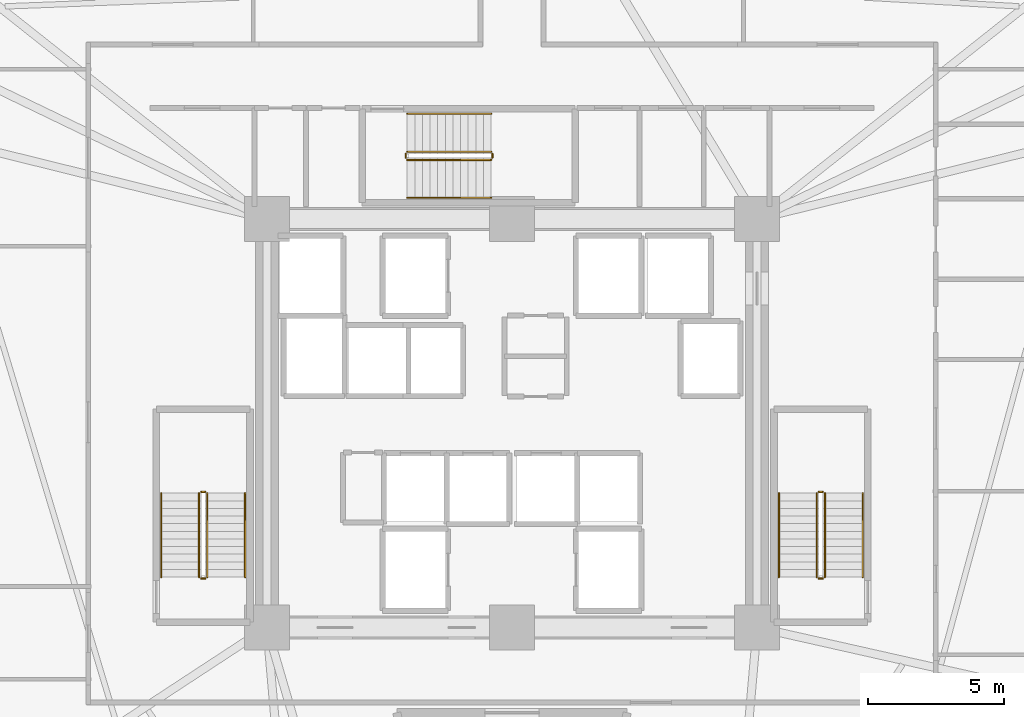
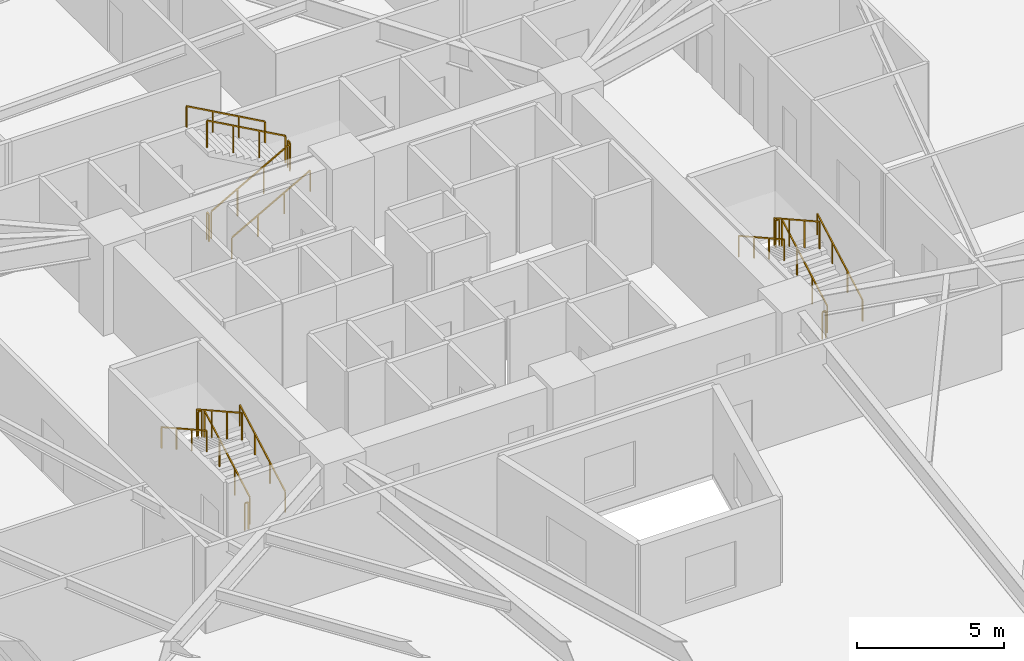
# One storey, part 8 of 8: 18 railings.
"""IFC4 building model written with IfcOpenShell, lengths in metres."""

import ifcopenshell
import ifcopenshell.guid

model = None  # the IFC model being written
_history = None  # IfcOwnerHistory: only IFC2X3 demands one
_inside = {}  # id of a spatial element -> (the spatial element, [elements in it])
_under = {}  # id of a project, library or spatial element -> (it, [spatial elements below it])
_declared = {}  # id of a project -> (the project, [libraries it declares])
_typed = {}  # id of a type object -> (the type object, [elements of that type])
_made_of = {}  # id of a material, layer set ... -> (it, [elements and type objects made of it])


def new_model(schema):
    """Start an empty IFC model of exactly this schema.

    Asked for "IFC4X3", IfcOpenShell would pick the latest addendum, in which some entities
    have other attributes; the version numbers below select the first issue.
    IFC2X3 requires an IfcOwnerHistory on every rooted entity: one is made here for all.
    """
    global model, _history
    if schema == "IFC4X3":
        model = ifcopenshell.file(schema_version=(4, 3, 0, 0))
    else:
        model = ifcopenshell.file(schema=schema)
    _inside.clear()
    _under.clear()
    _declared.clear()
    _typed.clear()
    _made_of.clear()
    _history = None
    if model.schema == "IFC2X3":
        org = make("IfcOrganization", Name="unknown")
        user = make(
            "IfcPersonAndOrganization",
            ThePerson=make("IfcPerson", FamilyName="unknown"),
            TheOrganization=org,
        )
        app = make(
            "IfcApplication",
            ApplicationDeveloper=org,
            Version="unknown",
            ApplicationFullName="unknown",
            ApplicationIdentifier="unknown",
        )
        _history = make(
            "IfcOwnerHistory",
            OwningUser=user,
            OwningApplication=app,
            ChangeAction="ADDED",
            CreationDate=0,
        )
    return model


def make(cls, **values):
    """One entity of the class cls with the attributes given. An attribute that is None is left unset."""
    return model.create_entity(
        cls, **{name: value for name, value in values.items() if value is not None}
    )


def rooted(cls, **values):
    """An entity with a GlobalId (a new one), such as an element, a storey or a relation."""
    return make(cls, GlobalId=ifcopenshell.guid.new(), OwnerHistory=_history, **values)


def si_unit(unit_type, name, prefix=None):
    """IfcSIUnit, for example si_unit("LENGTHUNIT", "METRE", prefix="MILLI")."""
    return make("IfcSIUnit", UnitType=unit_type, Prefix=prefix, Name=name)


def assignment(units):
    """IfcUnitAssignment: the units of a project."""
    return None if units is None else make("IfcUnitAssignment", Units=units)


def point(xyz):
    """IfcCartesianPoint."""
    return None if xyz is None else make("IfcCartesianPoint", Coordinates=xyz)


def direction(xyz):
    """IfcDirection."""
    return None if xyz is None else make("IfcDirection", DirectionRatios=xyz)


def frame(location, z_axis=None, x_axis=None):
    """IfcAxis2Placement3D, a coordinate frame: its origin and axes. An axis left out is left unset."""
    return make(
        "IfcAxis2Placement3D",
        Location=point(location),
        Axis=direction(z_axis),
        RefDirection=direction(x_axis),
    )


def frame_2d(location, x_axis=None):
    """IfcAxis2Placement2D, a coordinate frame in the plane: its origin and x axis."""
    return make(
        "IfcAxis2Placement2D", Location=point(location), RefDirection=direction(x_axis)
    )


def origin():
    """The frame at (0, 0, 0) with its axes left unset."""
    return frame((0.0, 0.0, 0.0))


def origin_2d():
    """The frame at (0, 0) in the plane with its x axis left unset."""
    return frame_2d((0.0, 0.0))


def place(relative_to, where):
    """IfcLocalPlacement: puts the frame where relative to a parent placement (None: the world)."""
    return make(
        "IfcLocalPlacement", PlacementRelTo=relative_to, RelativePlacement=where
    )


def context(
    kind, dimensions, precision=None, world=None, true_north=None, identifier=None
):
    """IfcGeometricRepresentationContext, for example the 3D "Model" context."""
    return make(
        "IfcGeometricRepresentationContext",
        ContextIdentifier=identifier,
        ContextType=kind,
        CoordinateSpaceDimension=dimensions,
        Precision=precision,
        WorldCoordinateSystem=world,
        TrueNorth=true_north,
    )


def subcontext(parent, identifier, kind, view, scale=None):
    """IfcGeometricRepresentationSubContext, for example "Body" below "Model"."""
    return make(
        "IfcGeometricRepresentationSubContext",
        ContextIdentifier=identifier,
        ContextType=kind,
        ParentContext=parent,
        TargetScale=scale,
        TargetView=view,
    )


def project(units=None, contexts=None):
    """IfcProject with its units and contexts."""
    return rooted(
        "IfcProject",
        Name="project",
        RepresentationContexts=contexts,
        UnitsInContext=assignment(units),
    )


def spatial(cls, under=None, at=None, **own):
    """A site, building, storey or space (cls), placed at a placement, below another one or the project."""
    s = rooted(cls, ObjectPlacement=at, **own)
    if under is not None:
        _under.setdefault(under.id(), (under, []))[1].append(s)
    return s


def profile(cls, at=None, kind="AREA", **sizes):
    """A parametric profile (cls). Its sizes go by their IFC names, for example OverallWidth=200.0."""
    return make(cls, ProfileType=kind, Position=at, **sizes)


def rectangle(**sizes):
    """IfcRectangleProfileDef."""
    return profile("IfcRectangleProfileDef", **sizes)


def extrude(swept, where, along, depth):
    """IfcExtrudedAreaSolid: the profile swept, set in the frame where, extruded along a direction by depth."""
    return make(
        "IfcExtrudedAreaSolid",
        SweptArea=swept,
        Position=where,
        ExtrudedDirection=direction(along),
        Depth=depth,
    )


def shape(context_of_items, identifier, shape_type, items):
    """IfcShapeRepresentation: the items that make up one representation, for example the "Body"."""
    return make(
        "IfcShapeRepresentation",
        ContextOfItems=context_of_items,
        RepresentationIdentifier=identifier,
        RepresentationType=shape_type,
        Items=items,
    )


def material(Name=None, Category=None):
    """IfcMaterial."""
    return make("IfcMaterial", Name=Name, Category=Category)


def made_of(thing, what):
    """Note that an element or type object is made of a material, layer set ...; save() writes the relation."""
    if what is not None:
        _made_of.setdefault(what.id(), (what, []))[1].append(thing)
    return thing


def type_object(cls, material=None, **own):
    """A type object (cls), such as IfcWallType, which elements share."""
    return made_of(rooted(cls, **own), material)


def element(
    cls,
    number,
    at=None,
    inside=None,
    cuts=None,
    type_object=None,
    material=None,
    context=None,
    identifier="Body",
    shape_type=None,
    held_by="IfcProductDefinitionShape",
    body=None,
    shapes=None,
    **own,
):
    """One element of the class cls, such as IfcWall. Its Tag is "e" and its number.

    at: its placement. inside: the storey or other place that contains it. cuts: it is an
    opening in that element (IfcRelVoidsElement). A single representation is given by context,
    identifier, shape_type and body (its items); several are given by shapes. held_by: the class
    of the entity that holds the representations. save() writes the other relations.
    """
    e = rooted(cls, Tag="e%d" % number, ObjectPlacement=at, **own)
    if body is not None:
        shapes = [shape(context, identifier, shape_type, body)]
    if shapes is not None:
        e.Representation = make(held_by, Representations=shapes)
    if inside is not None:
        _inside.setdefault(inside.id(), (inside, []))[1].append(e)
    if cuts is not None:
        rooted(
            "IfcRelVoidsElement", RelatingBuildingElement=cuts, RelatedOpeningElement=e
        )
    if type_object is not None:
        _typed.setdefault(type_object.id(), (type_object, []))[1].append(e)
    return made_of(e, material)


def aggregate(whole, parts):
    """IfcRelAggregates: a whole, such as a stair, and the parts it consists of."""
    return rooted("IfcRelAggregates", RelatingObject=whole, RelatedObjects=parts)


def save(model, path):
    """Write the relations noted so far, then the file.

    IfcRelAggregates (storeys below a building ...), IfcRelContainedInSpatialStructure (elements
    in a storey), IfcRelDefinesByType, IfcRelAssociatesMaterial and IfcRelDeclares: one each for
    every whole, place, type object, material and project.
    """
    for whole, parts in _under.values():
        aggregate(whole, parts)
    for where, things in _inside.values():
        rooted(
            "IfcRelContainedInSpatialStructure",
            RelatedElements=things,
            RelatingStructure=where,
        )
    for kind, things in _typed.values():
        rooted("IfcRelDefinesByType", RelatedObjects=things, RelatingType=kind)
    for what, things in _made_of.values():
        rooted("IfcRelAssociatesMaterial", RelatedObjects=things, RelatingMaterial=what)
    for by, libraries in _declared.values():
        rooted("IfcRelDeclares", RelatingContext=by, RelatedDefinitions=libraries)
    model.write(path)


model = new_model("IFC4")

# Units and contexts
model_context = context("Model", 3, precision=1e-05, world=origin(), true_north=direction((0.0, 1.0)))
body_context = subcontext(model_context, "Body", "Model", "MODEL_VIEW")
ifc_project = project(units=[si_unit("LENGTHUNIT", "METRE"), si_unit("AREAUNIT", "SQUARE_METRE"), si_unit("VOLUMEUNIT", "CUBIC_METRE"), si_unit("PLANEANGLEUNIT", "RADIAN"), si_unit("MASSUNIT", "GRAM", prefix="KILO")], contexts=[model_context])

# Site, building, storey
site_placement = place(None, origin())
site = spatial("IfcSite", under=ifc_project, at=site_placement, CompositionType="ELEMENT")
building_placement = place(site_placement, origin())
building = spatial("IfcBuilding", under=site, at=building_placement, Name="Liaohun Quay Tower", CompositionType="ELEMENT")
storey_placement = place(building_placement, frame((0.0, 0.0, 85.5)))
storey = spatial("IfcBuildingStorey", under=building, at=storey_placement, Name="L22", CompositionType="ELEMENT", Elevation=85.5)

# Railings
ifc_material_1 = material(Name="Painted tubular steel", Category="steel")
railing_type_1 = type_object("IfcRailingType", Name="RLG-GUARD-STR", PredefinedType="GUARDRAIL", material=ifc_material_1)
railing_1_placement = place(storey_placement, frame((48.81005859375, 48.35009765625, 0.15625)))
element("IfcRailing", 1, at=railing_1_placement, inside=storey, type_object=railing_type_1, Name="L22 ST-1 stair guard 1", PredefinedType="GUARDRAIL", context=body_context, shape_type="SweptSolid", body=[
    extrude(rectangle(XDim=0.048095703125, YDim=0.048095703125, at=origin_2d()), frame((0.0, 0.0, 1.1259765625), z_axis=(0.0, 0.873225103656, 0.487317061414), x_axis=(-1.0, 0.0, 0.0)), (0.0, 0.0, 1.0), 3.52685546875),
    extrude(rectangle(XDim=0.0419921875, YDim=0.0419921875, at=origin_2d()), origin(), (0.0, 0.0, 1.0), 1.101806640625),
    extrude(rectangle(XDim=0.0419921875, YDim=0.0419921875, at=origin_2d()), frame((0.0, 1.026611328125, 0.572998046875)), (0.0, 0.0, 1.0), 1.101806640625),
    extrude(rectangle(XDim=0.0419921875, YDim=0.0419921875, at=origin_2d()), frame((0.0, 2.05322265625, 1.145751953125)), (0.0, 0.0, 1.0), 1.101806640625),
    extrude(rectangle(XDim=0.0419921875, YDim=0.0419921875, at=origin_2d()), frame((0.0, 3.079833984375, 1.71875)), (0.0, 0.0, 1.0), 1.101806640625),
])
railing_2_placement = place(storey_placement, frame((48.72998046875, 51.47998046875, 1.875)))
element("IfcRailing", 2, at=railing_2_placement, inside=storey, type_object=railing_type_1, Name="L22 ST-1 stair guard 2", PredefinedType="GUARDRAIL", context=body_context, shape_type="SweptSolid", body=[
    extrude(rectangle(XDim=0.048095703125, YDim=0.048095703125, at=origin_2d()), frame((0.0, 0.0, 1.1259765625), z_axis=(-1.0, 0.0, 0.0), x_axis=(0.0, -1.0, 0.0)), (0.0, 0.0, 1.0), 0.139892578125),
    extrude(rectangle(XDim=0.0419921875, YDim=0.0419921875, at=origin_2d()), origin(), (0.0, 0.0, 1.0), 1.101806640625),
    extrude(rectangle(XDim=0.0419921875, YDim=0.0419921875, at=origin_2d()), frame((-0.139892578125, 0.0, 0.0)), (0.0, 0.0, 1.0), 1.101806640625),
])
railing_3_placement = place(storey_placement, frame((48.510009765625, 51.429931640625, 2.03125)))
element("IfcRailing", 3, at=railing_3_placement, inside=storey, type_object=railing_type_1, Name="L22 ST-1 stair guard 3", PredefinedType="GUARDRAIL", context=body_context, shape_type="SweptSolid", body=[
    extrude(rectangle(XDim=0.048095703125, YDim=0.048095703125, at=origin_2d()), frame((0.0, 0.0, 1.1259765625), z_axis=(0.0, -0.873225103656, 0.487317061414), x_axis=(1.0, 0.0, 0.0)), (0.0, 0.0, 1.0), 3.52685546875),
    extrude(rectangle(XDim=0.0419921875, YDim=0.0419921875, at=origin_2d()), origin(), (0.0, 0.0, 1.0), 1.101806640625),
    extrude(rectangle(XDim=0.0419921875, YDim=0.0419921875, at=origin_2d()), frame((0.0, -1.026611328125, 0.572998046875)), (0.0, 0.0, 1.0), 1.101806640625),
    extrude(rectangle(XDim=0.0419921875, YDim=0.0419921875, at=origin_2d()), frame((0.0, -2.05322265625, 1.145751953125)), (0.0, 0.0, 1.0), 1.101806640625),
    extrude(rectangle(XDim=0.0419921875, YDim=0.0419921875, at=origin_2d()), frame((0.0, -3.079833984375, 1.71875)), (0.0, 0.0, 1.0), 1.101806640625),
])
railing_4_placement = place(storey_placement, frame((48.72998046875, 48.300048828125, 0.0)))
element("IfcRailing", 4, at=railing_4_placement, inside=storey, type_object=railing_type_1, Name="L22 ST-1 stair guard 4", PredefinedType="GUARDRAIL", context=body_context, shape_type="SweptSolid", body=[
    extrude(rectangle(XDim=0.048095703125, YDim=0.048095703125, at=origin_2d()), frame((0.0, 0.0, 1.1259765625), z_axis=(-1.0, 0.0, 0.0), x_axis=(0.0, -1.0, 0.0)), (0.0, 0.0, 1.0), 0.139892578125),
    extrude(rectangle(XDim=0.0419921875, YDim=0.0419921875, at=origin_2d()), origin(), (0.0, 0.0, 1.0), 1.101806640625),
    extrude(rectangle(XDim=0.0419921875, YDim=0.0419921875, at=origin_2d()), frame((-0.139892578125, 0.0, 0.0)), (0.0, 0.0, 1.0), 1.101806640625),
])
railing_5_placement = place(storey_placement, frame((71.489990234375, 48.35009765625, 0.15625)))
element("IfcRailing", 5, at=railing_5_placement, inside=storey, type_object=railing_type_1, Name="L22 ST-2 stair guard 1", PredefinedType="GUARDRAIL", context=body_context, shape_type="SweptSolid", body=[
    extrude(rectangle(XDim=0.048095703125, YDim=0.048095703125, at=origin_2d()), frame((0.0, 0.0, 1.1259765625), z_axis=(0.0, 0.873225103656, 0.487317061414), x_axis=(-1.0, 0.0, 0.0)), (0.0, 0.0, 1.0), 3.52685546875),
    extrude(rectangle(XDim=0.0419921875, YDim=0.0419921875, at=origin_2d()), origin(), (0.0, 0.0, 1.0), 1.101806640625),
    extrude(rectangle(XDim=0.0419921875, YDim=0.0419921875, at=origin_2d()), frame((0.0, 1.026611328125, 0.572998046875)), (0.0, 0.0, 1.0), 1.101806640625),
    extrude(rectangle(XDim=0.0419921875, YDim=0.0419921875, at=origin_2d()), frame((0.0, 2.05322265625, 1.145751953125)), (0.0, 0.0, 1.0), 1.101806640625),
    extrude(rectangle(XDim=0.0419921875, YDim=0.0419921875, at=origin_2d()), frame((0.0, 3.079833984375, 1.71875)), (0.0, 0.0, 1.0), 1.101806640625),
])
railing_6_placement = place(storey_placement, frame((71.409912109375, 51.47998046875, 1.875)))
element("IfcRailing", 6, at=railing_6_placement, inside=storey, type_object=railing_type_1, Name="L22 ST-2 stair guard 2", PredefinedType="GUARDRAIL", context=body_context, shape_type="SweptSolid", body=[
    extrude(rectangle(XDim=0.048095703125, YDim=0.048095703125, at=origin_2d()), frame((0.0, 0.0, 1.1259765625), z_axis=(-1.0, 0.0, 0.0), x_axis=(0.0, -1.0, 0.0)), (0.0, 0.0, 1.0), 0.139892578125),
    extrude(rectangle(XDim=0.0419921875, YDim=0.0419921875, at=origin_2d()), origin(), (0.0, 0.0, 1.0), 1.101806640625),
    extrude(rectangle(XDim=0.0419921875, YDim=0.0419921875, at=origin_2d()), frame((-0.139892578125, 0.0, 0.0)), (0.0, 0.0, 1.0), 1.101806640625),
])
railing_7_placement = place(storey_placement, frame((71.18994140625, 51.429931640625, 2.03125)))
element("IfcRailing", 7, at=railing_7_placement, inside=storey, type_object=railing_type_1, Name="L22 ST-2 stair guard 3", PredefinedType="GUARDRAIL", context=body_context, shape_type="SweptSolid", body=[
    extrude(rectangle(XDim=0.048095703125, YDim=0.048095703125, at=origin_2d()), frame((0.0, 0.0, 1.1259765625), z_axis=(0.0, -0.873225103656, 0.487317061414), x_axis=(1.0, 0.0, 0.0)), (0.0, 0.0, 1.0), 3.52685546875),
    extrude(rectangle(XDim=0.0419921875, YDim=0.0419921875, at=origin_2d()), origin(), (0.0, 0.0, 1.0), 1.101806640625),
    extrude(rectangle(XDim=0.0419921875, YDim=0.0419921875, at=origin_2d()), frame((0.0, -1.026611328125, 0.572998046875)), (0.0, 0.0, 1.0), 1.101806640625),
    extrude(rectangle(XDim=0.0419921875, YDim=0.0419921875, at=origin_2d()), frame((0.0, -2.05322265625, 1.145751953125)), (0.0, 0.0, 1.0), 1.101806640625),
    extrude(rectangle(XDim=0.0419921875, YDim=0.0419921875, at=origin_2d()), frame((0.0, -3.079833984375, 1.71875)), (0.0, 0.0, 1.0), 1.101806640625),
])
railing_8_placement = place(storey_placement, frame((71.409912109375, 48.300048828125, 0.0)))
element("IfcRailing", 8, at=railing_8_placement, inside=storey, type_object=railing_type_1, Name="L22 ST-2 stair guard 4", PredefinedType="GUARDRAIL", context=body_context, shape_type="SweptSolid", body=[
    extrude(rectangle(XDim=0.048095703125, YDim=0.048095703125, at=origin_2d()), frame((0.0, 0.0, 1.1259765625), z_axis=(-1.0, 0.0, 0.0), x_axis=(0.0, -1.0, 0.0)), (0.0, 0.0, 1.0), 0.139892578125),
    extrude(rectangle(XDim=0.0419921875, YDim=0.0419921875, at=origin_2d()), origin(), (0.0, 0.0, 1.0), 1.101806640625),
    extrude(rectangle(XDim=0.0419921875, YDim=0.0419921875, at=origin_2d()), frame((-0.139892578125, 0.0, 0.0)), (0.0, 0.0, 1.0), 1.101806640625),
])
railing_9_placement = place(storey_placement, frame((56.14990234375, 63.669921875, 0.15625)))
element("IfcRailing", 9, at=railing_9_placement, inside=storey, type_object=railing_type_1, Name="L22 ST-3 stair guard 1", PredefinedType="GUARDRAIL", context=body_context, shape_type="SweptSolid", body=[
    extrude(rectangle(XDim=0.048095703125, YDim=0.048095703125, at=origin_2d()), frame((0.0, 0.0, 1.1259765625), z_axis=(0.873241540666, 0.0, 0.487287606713), x_axis=(0.0, 1.0, 0.0)), (0.0, 0.0, 1.0), 3.527099609375),
    extrude(rectangle(XDim=0.0419921875, YDim=0.0419921875, at=origin_2d()), origin(), (0.0, 0.0, 1.0), 1.101806640625),
    extrude(rectangle(XDim=0.0419921875, YDim=0.0419921875, at=origin_2d()), frame((1.026611328125, 0.0, 0.572998046875)), (0.0, 0.0, 1.0), 1.101806640625),
    extrude(rectangle(XDim=0.0419921875, YDim=0.0419921875, at=origin_2d()), frame((2.053466796875, 0.0, 1.145751953125)), (0.0, 0.0, 1.0), 1.101806640625),
    extrude(rectangle(XDim=0.0419921875, YDim=0.0419921875, at=origin_2d()), frame((3.080078125, 0.0, 1.71875)), (0.0, 0.0, 1.0), 1.101806640625),
])
railing_10_placement = place(storey_placement, frame((59.280029296875, 63.75, 1.875)))
element("IfcRailing", 10, at=railing_10_placement, inside=storey, type_object=railing_type_1, Name="L22 ST-3 stair guard 2", PredefinedType="GUARDRAIL", context=body_context, shape_type="SweptSolid", body=[
    extrude(rectangle(XDim=0.048095703125, YDim=0.048095703125, at=origin_2d()), frame((0.0, 0.0, 1.1259765625), z_axis=(0.0, 1.0, 0.0), x_axis=(-1.0, 0.0, 0.0)), (0.0, 0.0, 1.0), 0.139892578125),
    extrude(rectangle(XDim=0.0419921875, YDim=0.0419921875, at=origin_2d()), origin(), (0.0, 0.0, 1.0), 1.101806640625),
    extrude(rectangle(XDim=0.0419921875, YDim=0.0419921875, at=origin_2d()), frame((0.0, 0.139892578125, 0.0)), (0.0, 0.0, 1.0), 1.101806640625),
])
railing_11_placement = place(storey_placement, frame((59.22998046875, 63.969970703125, 2.03125)))
element("IfcRailing", 11, at=railing_11_placement, inside=storey, type_object=railing_type_1, Name="L22 ST-3 stair guard 3", PredefinedType="GUARDRAIL", context=body_context, shape_type="SweptSolid", body=[
    extrude(rectangle(XDim=0.048095703125, YDim=0.048095703125, at=origin_2d()), frame((0.0, 0.0, 1.1259765625), z_axis=(-0.873241540666, 0.0, 0.487287606713), x_axis=(0.0, -1.0, 0.0)), (0.0, 0.0, 1.0), 3.527099609375),
    extrude(rectangle(XDim=0.0419921875, YDim=0.0419921875, at=origin_2d()), origin(), (0.0, 0.0, 1.0), 1.101806640625),
    extrude(rectangle(XDim=0.0419921875, YDim=0.0419921875, at=origin_2d()), frame((-1.026611328125, 0.0, 0.572998046875)), (0.0, 0.0, 1.0), 1.101806640625),
    extrude(rectangle(XDim=0.0419921875, YDim=0.0419921875, at=origin_2d()), frame((-2.053466796875, 0.0, 1.145751953125)), (0.0, 0.0, 1.0), 1.101806640625),
    extrude(rectangle(XDim=0.0419921875, YDim=0.0419921875, at=origin_2d()), frame((-3.080078125, 0.0, 1.71875)), (0.0, 0.0, 1.0), 1.101806640625),
])
railing_12_placement = place(storey_placement, frame((56.10009765625, 63.75, 0.0)))
element("IfcRailing", 12, at=railing_12_placement, inside=storey, type_object=railing_type_1, Name="L22 ST-3 stair guard 4", PredefinedType="GUARDRAIL", context=body_context, shape_type="SweptSolid", body=[
    extrude(rectangle(XDim=0.048095703125, YDim=0.048095703125, at=origin_2d()), frame((0.0, 0.0, 1.1259765625), z_axis=(0.0, 1.0, 0.0), x_axis=(-1.0, 0.0, 0.0)), (0.0, 0.0, 1.0), 0.139892578125),
    extrude(rectangle(XDim=0.0419921875, YDim=0.0419921875, at=origin_2d()), origin(), (0.0, 0.0, 1.0), 1.101806640625),
    extrude(rectangle(XDim=0.0419921875, YDim=0.0419921875, at=origin_2d()), frame((0.0, 0.139892578125, 0.0)), (0.0, 0.0, 1.0), 1.101806640625),
])
ifc_material_2 = material(Name="Brushed stainless steel", Category="steel")
railing_type_2 = type_object("IfcRailingType", Name="RLG-HND-STR", PredefinedType="HANDRAIL", material=ifc_material_2)
railing_13_placement = place(storey_placement, frame((50.199951171875, 48.35009765625, 0.15625)))
element("IfcRailing", 13, at=railing_13_placement, inside=storey, type_object=railing_type_2, Name="L22 ST-1 stair handrail 1", PredefinedType="HANDRAIL", context=body_context, shape_type="SweptSolid", body=[
    extrude(rectangle(XDim=0.048095703125, YDim=0.048095703125, at=origin_2d()), frame((0.0, 0.0, 0.8759765625), z_axis=(0.0, 0.873225103656, 0.487317061414), x_axis=(-1.0, 0.0, 0.0)), (0.0, 0.0, 1.0), 3.52685546875),
    extrude(rectangle(XDim=0.0419921875, YDim=0.0419921875, at=origin_2d()), origin(), (0.0, 0.0, 1.0), 0.851806640625),
    extrude(rectangle(XDim=0.0419921875, YDim=0.0419921875, at=origin_2d()), frame((0.0, 1.026611328125, 0.572998046875)), (0.0, 0.0, 1.0), 0.851806640625),
    extrude(rectangle(XDim=0.0419921875, YDim=0.0419921875, at=origin_2d()), frame((0.0, 2.05322265625, 1.145751953125)), (0.0, 0.0, 1.0), 0.851806640625),
    extrude(rectangle(XDim=0.0419921875, YDim=0.0419921875, at=origin_2d()), frame((0.0, 3.079833984375, 1.71875)), (0.0, 0.0, 1.0), 0.851806640625),
])
railing_14_placement = place(storey_placement, frame((47.1201171875, 51.429931640625, 2.03125)))
element("IfcRailing", 14, at=railing_14_placement, inside=storey, type_object=railing_type_2, Name="L22 ST-1 stair handrail 2", PredefinedType="HANDRAIL", context=body_context, shape_type="SweptSolid", body=[
    extrude(rectangle(XDim=0.048095703125, YDim=0.048095703125, at=origin_2d()), frame((0.0, 0.0, 0.8759765625), z_axis=(0.0, -0.873225103656, 0.487317061414), x_axis=(1.0, 0.0, 0.0)), (0.0, 0.0, 1.0), 3.52685546875),
    extrude(rectangle(XDim=0.0419921875, YDim=0.0419921875, at=origin_2d()), origin(), (0.0, 0.0, 1.0), 0.851806640625),
    extrude(rectangle(XDim=0.0419921875, YDim=0.0419921875, at=origin_2d()), frame((0.0, -1.026611328125, 0.572998046875)), (0.0, 0.0, 1.0), 0.851806640625),
    extrude(rectangle(XDim=0.0419921875, YDim=0.0419921875, at=origin_2d()), frame((0.0, -2.05322265625, 1.145751953125)), (0.0, 0.0, 1.0), 0.851806640625),
    extrude(rectangle(XDim=0.0419921875, YDim=0.0419921875, at=origin_2d()), frame((0.0, -3.079833984375, 1.71875)), (0.0, 0.0, 1.0), 0.851806640625),
])
railing_15_placement = place(storey_placement, frame((72.8798828125, 48.35009765625, 0.15625)))
element("IfcRailing", 15, at=railing_15_placement, inside=storey, type_object=railing_type_2, Name="L22 ST-2 stair handrail 1", PredefinedType="HANDRAIL", context=body_context, shape_type="SweptSolid", body=[
    extrude(rectangle(XDim=0.048095703125, YDim=0.048095703125, at=origin_2d()), frame((0.0, 0.0, 0.8759765625), z_axis=(0.0, 0.873225103656, 0.487317061414), x_axis=(-1.0, 0.0, 0.0)), (0.0, 0.0, 1.0), 3.52685546875),
    extrude(rectangle(XDim=0.0419921875, YDim=0.0419921875, at=origin_2d()), origin(), (0.0, 0.0, 1.0), 0.851806640625),
    extrude(rectangle(XDim=0.0419921875, YDim=0.0419921875, at=origin_2d()), frame((0.0, 1.026611328125, 0.572998046875)), (0.0, 0.0, 1.0), 0.851806640625),
    extrude(rectangle(XDim=0.0419921875, YDim=0.0419921875, at=origin_2d()), frame((0.0, 2.05322265625, 1.145751953125)), (0.0, 0.0, 1.0), 0.851806640625),
    extrude(rectangle(XDim=0.0419921875, YDim=0.0419921875, at=origin_2d()), frame((0.0, 3.079833984375, 1.71875)), (0.0, 0.0, 1.0), 0.851806640625),
])
railing_16_placement = place(storey_placement, frame((69.800048828125, 51.429931640625, 2.03125)))
element("IfcRailing", 16, at=railing_16_placement, inside=storey, type_object=railing_type_2, Name="L22 ST-2 stair handrail 2", PredefinedType="HANDRAIL", context=body_context, shape_type="SweptSolid", body=[
    extrude(rectangle(XDim=0.048095703125, YDim=0.048095703125, at=origin_2d()), frame((0.0, 0.0, 0.8759765625), z_axis=(0.0, -0.873225103656, 0.487317061414), x_axis=(1.0, 0.0, 0.0)), (0.0, 0.0, 1.0), 3.52685546875),
    extrude(rectangle(XDim=0.0419921875, YDim=0.0419921875, at=origin_2d()), origin(), (0.0, 0.0, 1.0), 0.851806640625),
    extrude(rectangle(XDim=0.0419921875, YDim=0.0419921875, at=origin_2d()), frame((0.0, -1.026611328125, 0.572998046875)), (0.0, 0.0, 1.0), 0.851806640625),
    extrude(rectangle(XDim=0.0419921875, YDim=0.0419921875, at=origin_2d()), frame((0.0, -2.05322265625, 1.145751953125)), (0.0, 0.0, 1.0), 0.851806640625),
    extrude(rectangle(XDim=0.0419921875, YDim=0.0419921875, at=origin_2d()), frame((0.0, -3.079833984375, 1.71875)), (0.0, 0.0, 1.0), 0.851806640625),
])
railing_17_placement = place(storey_placement, frame((56.14990234375, 62.280029296875, 0.15625)))
element("IfcRailing", 17, at=railing_17_placement, inside=storey, type_object=railing_type_2, Name="L22 ST-3 stair handrail 1", PredefinedType="HANDRAIL", context=body_context, shape_type="SweptSolid", body=[
    extrude(rectangle(XDim=0.048095703125, YDim=0.048095703125, at=origin_2d()), frame((0.0, 0.0, 0.8759765625), z_axis=(0.873241540666, 0.0, 0.487287606713), x_axis=(0.0, 1.0, 0.0)), (0.0, 0.0, 1.0), 3.527099609375),
    extrude(rectangle(XDim=0.0419921875, YDim=0.0419921875, at=origin_2d()), origin(), (0.0, 0.0, 1.0), 0.851806640625),
    extrude(rectangle(XDim=0.0419921875, YDim=0.0419921875, at=origin_2d()), frame((1.026611328125, 0.0, 0.572998046875)), (0.0, 0.0, 1.0), 0.851806640625),
    extrude(rectangle(XDim=0.0419921875, YDim=0.0419921875, at=origin_2d()), frame((2.053466796875, 0.0, 1.145751953125)), (0.0, 0.0, 1.0), 0.851806640625),
    extrude(rectangle(XDim=0.0419921875, YDim=0.0419921875, at=origin_2d()), frame((3.080078125, 0.0, 1.71875)), (0.0, 0.0, 1.0), 0.851806640625),
])
railing_18_placement = place(storey_placement, frame((59.22998046875, 65.360107421875, 2.03125)))
element("IfcRailing", 18, at=railing_18_placement, inside=storey, type_object=railing_type_2, Name="L22 ST-3 stair handrail 2", PredefinedType="HANDRAIL", context=body_context, shape_type="SweptSolid", body=[
    extrude(rectangle(XDim=0.048095703125, YDim=0.048095703125, at=origin_2d()), frame((0.0, 0.0, 0.8759765625), z_axis=(-0.873241540666, 0.0, 0.487287606713), x_axis=(0.0, -1.0, 0.0)), (0.0, 0.0, 1.0), 3.527099609375),
    extrude(rectangle(XDim=0.0419921875, YDim=0.0419921875, at=origin_2d()), origin(), (0.0, 0.0, 1.0), 0.851806640625),
    extrude(rectangle(XDim=0.0419921875, YDim=0.0419921875, at=origin_2d()), frame((-1.026611328125, 0.0, 0.572998046875)), (0.0, 0.0, 1.0), 0.851806640625),
    extrude(rectangle(XDim=0.0419921875, YDim=0.0419921875, at=origin_2d()), frame((-2.053466796875, 0.0, 1.145751953125)), (0.0, 0.0, 1.0), 0.851806640625),
    extrude(rectangle(XDim=0.0419921875, YDim=0.0419921875, at=origin_2d()), frame((-3.080078125, 0.0, 1.71875)), (0.0, 0.0, 1.0), 0.851806640625),
])

save(model, "model.ifc")
